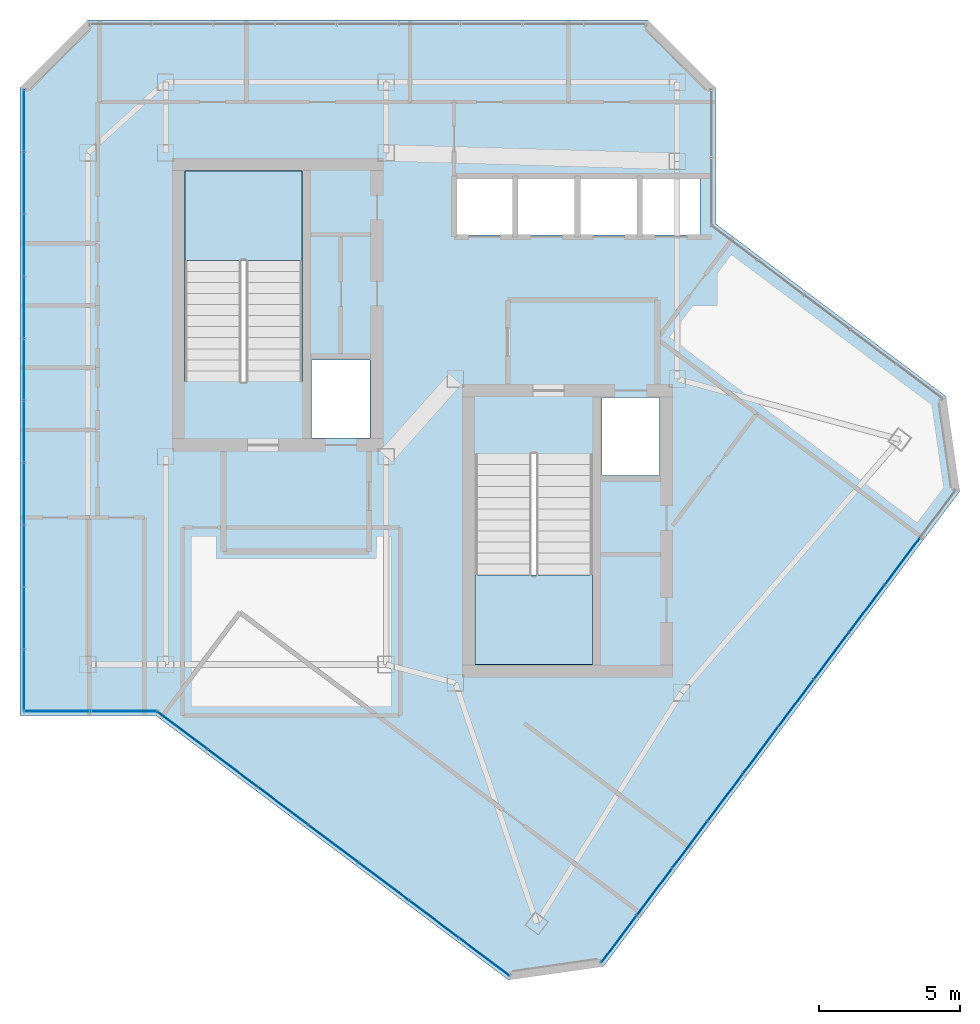
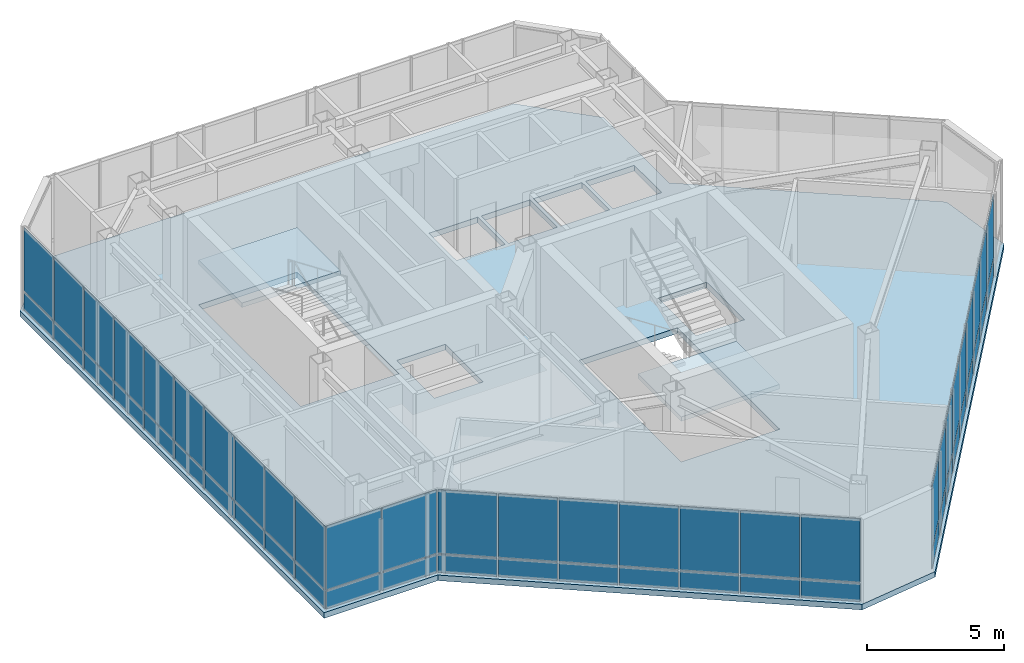
# One storey, part 24 of 29: 56 plates, 3 slabs, 6 elements without a shape of their own.
"""IFC4 building model written with IfcOpenShell, lengths in metres."""

from ifc_helpers import new_model, si_unit, direction, frame, origin, origin_2d, place, context, subcontext, project, spatial, polyline, rectangle, outline, extrude, material, layer, layer_set, type_object, element, aggregate, save


model = new_model("IFC4")

# Units and contexts
model_context = context("Model", 3, precision=1e-05, world=origin(), true_north=direction((0.0, 1.0)))
body_context = subcontext(model_context, "Body", "Model", "MODEL_VIEW")
ifc_project = project(units=[si_unit("LENGTHUNIT", "METRE"), si_unit("AREAUNIT", "SQUARE_METRE"), si_unit("VOLUMEUNIT", "CUBIC_METRE"), si_unit("PLANEANGLEUNIT", "RADIAN"), si_unit("MASSUNIT", "GRAM", prefix="KILO")], contexts=[model_context])

# Site, building, storey
site_placement = place(None, origin())
site = spatial("IfcSite", under=ifc_project, at=site_placement, CompositionType="ELEMENT")
building_placement = place(site_placement, origin())
building = spatial("IfcBuilding", under=site, at=building_placement, Name="Hatsunagi Terrace Concourse", CompositionType="ELEMENT")
storey_placement = place(building_placement, frame((0.0, 0.0, 277.949951171875)))
storey = spatial("IfcBuildingStorey", under=building, at=storey_placement, Name="L73", CompositionType="ELEMENT", Elevation=277.949951171875)

# Curtain wall, plates
ifc_material_1 = material(Name="Anodised Aluminium Alloy 6063-T5", Category="aluminium")
ifc_layer_1 = layer(ifc_material_1, 0.199951171875)
ifc_layer_set_1 = layer_set([ifc_layer_1], Name="CrownWintergarden_CW06")
curtain_wall_type = type_object("IfcCurtainWallType", Name="CrownWintergarden_CW06", PredefinedType="NOTDEFINED", material=ifc_layer_set_1)
curtain_wall_1_placement = place(storey_placement, origin())
curtain_wall_1 = element("IfcCurtainWall", 1, at=curtain_wall_1_placement, inside=storey, type_object=curtain_wall_type, Name="Unitised Curtain Wall CW-06 CW-L73-03", PredefinedType="NOTDEFINED")
ifc_material_2 = material(Name="Warm Terracotta Ceramic Spandrel Panel", Category="masonry")
ifc_layer_2 = layer(ifc_material_2, 0.031982421875)
ifc_layer_set_2 = layer_set([ifc_layer_2], Name="CurtainWallSpandrelPanel_32")
plate_type_1 = type_object("IfcPlateType", Name="CurtainWallSpandrelPanel_32", PredefinedType="SHEET", material=ifc_layer_set_2)
plate_1_placement = place(storey_placement, frame((51.614013671875, 28.85205078125, 0.030029296875), z_axis=(0.0, 0.0, 1.0), x_axis=(-0.599969314634, -0.800023013105, 0.0)))
plate_1 = element("IfcPlate", 2, at=plate_1_placement, type_object=plate_type_1, Name="Terracotta Spandrel Panel SPN-01", PredefinedType="SHEET", context=body_context, shape_type="SweptSolid", body=[
    extrude(rectangle(XDim=2.032958984375, YDim=0.031982421875, at=origin_2d()), origin(), (0.0, 0.0, 1.0), 0.7900390625),
])
plate_2_placement = place(storey_placement, frame((50.361083984375, 27.180908203125, 0.030029296875), z_axis=(0.0, 0.0, 1.0), x_axis=(-0.599969314634, -0.800023013105, 0.0)))
plate_2 = element("IfcPlate", 3, at=plate_2_placement, type_object=plate_type_1, Name="Terracotta Spandrel Panel SPN-01", PredefinedType="SHEET", context=body_context, shape_type="SweptSolid", body=[
    extrude(rectangle(XDim=2.032958984375, YDim=0.031982421875, at=origin_2d()), origin(), (0.0, 0.0, 1.0), 0.7900390625),
])
plate_3_placement = place(storey_placement, frame((49.10791015625, 25.510009765625, 0.030029296875), z_axis=(0.0, 0.0, 1.0), x_axis=(-0.599969314634, -0.800023013105, 0.0)))
plate_3 = element("IfcPlate", 4, at=plate_3_placement, type_object=plate_type_1, Name="Terracotta Spandrel Panel SPN-01", PredefinedType="SHEET", context=body_context, shape_type="SweptSolid", body=[
    extrude(rectangle(XDim=2.032958984375, YDim=0.031982421875, at=origin_2d()), origin(), (0.0, 0.0, 1.0), 0.7900390625),
])
plate_4_placement = place(storey_placement, frame((47.85498046875, 23.839111328125, 0.030029296875), z_axis=(0.0, 0.0, 1.0), x_axis=(-0.599969314634, -0.800023013105, 0.0)))
plate_4 = element("IfcPlate", 5, at=plate_4_placement, type_object=plate_type_1, Name="Terracotta Spandrel Panel SPN-01", PredefinedType="SHEET", context=body_context, shape_type="SweptSolid", body=[
    extrude(rectangle(XDim=2.032958984375, YDim=0.031982421875, at=origin_2d()), origin(), (0.0, 0.0, 1.0), 0.7900390625),
])
plate_5_placement = place(storey_placement, frame((46.60205078125, 22.1689453125, 0.030029296875), z_axis=(0.0, 0.0, 1.0), x_axis=(-0.599969314634, -0.800023013105, 0.0)))
plate_5 = element("IfcPlate", 6, at=plate_5_placement, type_object=plate_type_1, Name="Terracotta Spandrel Panel SPN-01", PredefinedType="SHEET", context=body_context, shape_type="SweptSolid", body=[
    extrude(rectangle(XDim=2.032958984375, YDim=0.031982421875, at=origin_2d()), origin(), (0.0, 0.0, 1.0), 0.7900390625),
])
plate_6_placement = place(storey_placement, frame((45.34912109375, 20.498046875, 0.030029296875), z_axis=(0.0, 0.0, 1.0), x_axis=(-0.599969314634, -0.800023013105, 0.0)))
plate_6 = element("IfcPlate", 7, at=plate_6_placement, type_object=plate_type_1, Name="Terracotta Spandrel Panel SPN-01", PredefinedType="SHEET", context=body_context, shape_type="SweptSolid", body=[
    extrude(rectangle(XDim=2.032958984375, YDim=0.031982421875, at=origin_2d()), origin(), (0.0, 0.0, 1.0), 0.7900390625),
])
plate_7_placement = place(storey_placement, frame((44.095947265625, 18.826904296875, 0.030029296875), z_axis=(0.0, 0.0, 1.0), x_axis=(-0.599969314634, -0.800023013105, 0.0)))
plate_7 = element("IfcPlate", 8, at=plate_7_placement, type_object=plate_type_1, Name="Terracotta Spandrel Panel SPN-01", PredefinedType="SHEET", context=body_context, shape_type="SweptSolid", body=[
    extrude(rectangle(XDim=2.032958984375, YDim=0.031982421875, at=origin_2d()), origin(), (0.0, 0.0, 1.0), 0.7900390625),
])
plate_8_placement = place(storey_placement, frame((42.843017578125, 17.156005859375, 0.030029296875), z_axis=(0.0, 0.0, 1.0), x_axis=(-0.599969314634, -0.800023013105, 0.0)))
plate_8 = element("IfcPlate", 9, at=plate_8_placement, type_object=plate_type_1, Name="Terracotta Spandrel Panel SPN-01", PredefinedType="SHEET", context=body_context, shape_type="SweptSolid", body=[
    extrude(rectangle(XDim=2.032958984375, YDim=0.031982421875, at=origin_2d()), origin(), (0.0, 0.0, 1.0), 0.7900390625),
])
plate_9_placement = place(storey_placement, frame((41.590087890625, 15.485107421875, 0.030029296875), z_axis=(0.0, 0.0, 1.0), x_axis=(-0.599969314634, -0.800023013105, 0.0)))
plate_9 = element("IfcPlate", 10, at=plate_9_placement, type_object=plate_type_1, Name="Terracotta Spandrel Panel SPN-01", PredefinedType="SHEET", context=body_context, shape_type="SweptSolid", body=[
    extrude(rectangle(XDim=2.032958984375, YDim=0.031982421875, at=origin_2d()), origin(), (0.0, 0.0, 1.0), 0.7900390625),
])

curtain_wall_2_placement = place(storey_placement, origin())
curtain_wall_2 = element("IfcCurtainWall", 11, at=curtain_wall_2_placement, inside=storey, type_object=curtain_wall_type, Name="Unitised Curtain Wall CW-06 CW-L73-05", PredefinedType="NOTDEFINED")
plate_10_placement = place(storey_placement, frame((36.826904296875, 14.85498046875, 0.030029296875), z_axis=(0.0, 0.0, 1.0), x_axis=(-0.800007305671, 0.599990258982, 0.0)))
plate_10 = element("IfcPlate", 12, at=plate_10_placement, type_object=plate_type_1, Name="Terracotta Spandrel Panel SPN-01", PredefinedType="SHEET", context=body_context, shape_type="SweptSolid", body=[
    extrude(rectangle(XDim=2.172119140625, YDim=0.031982421875, at=origin_2d()), origin(), (0.0, 0.0, 1.0), 0.7900390625),
])
plate_11_placement = place(storey_placement, frame((35.0458984375, 16.19091796875, 0.030029296875), z_axis=(0.0, 0.0, 1.0), x_axis=(-0.800007305671, 0.599990258982, 0.0)))
plate_11 = element("IfcPlate", 13, at=plate_11_placement, type_object=plate_type_1, Name="Terracotta Spandrel Panel SPN-01", PredefinedType="SHEET", context=body_context, shape_type="SweptSolid", body=[
    extrude(rectangle(XDim=2.172119140625, YDim=0.031982421875, at=origin_2d()), origin(), (0.0, 0.0, 1.0), 0.7900390625),
])
plate_12_placement = place(storey_placement, frame((33.263916015625, 17.527099609375, 0.030029296875), z_axis=(0.0, 0.0, 1.0), x_axis=(-0.800007305671, 0.599990258982, 0.0)))
plate_12 = element("IfcPlate", 14, at=plate_12_placement, type_object=plate_type_1, Name="Terracotta Spandrel Panel SPN-01", PredefinedType="SHEET", context=body_context, shape_type="SweptSolid", body=[
    extrude(rectangle(XDim=2.172119140625, YDim=0.031982421875, at=origin_2d()), origin(), (0.0, 0.0, 1.0), 0.7900390625),
])
plate_13_placement = place(storey_placement, frame((31.48291015625, 18.863037109375, 0.030029296875), z_axis=(0.0, 0.0, 1.0), x_axis=(-0.800007305671, 0.599990258982, 0.0)))
plate_13 = element("IfcPlate", 15, at=plate_13_placement, type_object=plate_type_1, Name="Terracotta Spandrel Panel SPN-01", PredefinedType="SHEET", context=body_context, shape_type="SweptSolid", body=[
    extrude(rectangle(XDim=2.172119140625, YDim=0.031982421875, at=origin_2d()), origin(), (0.0, 0.0, 1.0), 0.7900390625),
])
plate_14_placement = place(storey_placement, frame((29.700927734375, 20.199951171875, 0.030029296875), z_axis=(0.0, 0.0, 1.0), x_axis=(-0.800007305671, 0.599990258982, 0.0)))
plate_14 = element("IfcPlate", 16, at=plate_14_placement, type_object=plate_type_1, Name="Terracotta Spandrel Panel SPN-01", PredefinedType="SHEET", context=body_context, shape_type="SweptSolid", body=[
    extrude(rectangle(XDim=2.172119140625, YDim=0.031982421875, at=origin_2d()), origin(), (0.0, 0.0, 1.0), 0.7900390625),
])
plate_15_placement = place(storey_placement, frame((27.9189453125, 21.535888671875, 0.030029296875), z_axis=(0.0, 0.0, 1.0), x_axis=(-0.800007305671, 0.599990258982, 0.0)))
plate_15 = element("IfcPlate", 17, at=plate_15_placement, type_object=plate_type_1, Name="Terracotta Spandrel Panel SPN-01", PredefinedType="SHEET", context=body_context, shape_type="SweptSolid", body=[
    extrude(rectangle(XDim=2.172119140625, YDim=0.031982421875, at=origin_2d()), origin(), (0.0, 0.0, 1.0), 0.7900390625),
])
plate_16_placement = place(storey_placement, frame((26.137939453125, 22.8720703125, 0.030029296875), z_axis=(0.0, 0.0, 1.0), x_axis=(-0.800007305671, 0.599990258982, 0.0)))
plate_16 = element("IfcPlate", 18, at=plate_16_placement, type_object=plate_type_1, Name="Terracotta Spandrel Panel SPN-01", PredefinedType="SHEET", context=body_context, shape_type="SweptSolid", body=[
    extrude(rectangle(XDim=2.172119140625, YDim=0.031982421875, at=origin_2d()), origin(), (0.0, 0.0, 1.0), 0.7900390625),
])

curtain_wall_3_placement = place(storey_placement, origin())
curtain_wall_3 = element("IfcCurtainWall", 19, at=curtain_wall_3_placement, inside=storey, type_object=curtain_wall_type, Name="Unitised Curtain Wall CW-06 CW-L73-06", PredefinedType="NOTDEFINED")
plate_17_placement = place(storey_placement, frame((24.070068359375, 23.5400390625, 0.030029296875), z_axis=(0.0, 0.0, 1.0), x_axis=(-1.0, 0.0, 0.0)))
plate_17 = element("IfcPlate", 20, at=plate_17_placement, type_object=plate_type_1, Name="Terracotta Spandrel Panel SPN-01", PredefinedType="SHEET", context=body_context, shape_type="SweptSolid", body=[
    extrude(rectangle(XDim=2.299072265625, YDim=0.031982421875, at=origin_2d()), origin(), (0.0, 0.0, 1.0), 0.7900390625),
])
plate_18_placement = place(storey_placement, frame((21.717041015625, 23.5400390625, 0.030029296875), z_axis=(0.0, 0.0, 1.0), x_axis=(-1.0, 0.0, 0.0)))
plate_18 = element("IfcPlate", 21, at=plate_18_placement, type_object=plate_type_1, Name="Terracotta Spandrel Panel SPN-01", PredefinedType="SHEET", context=body_context, shape_type="SweptSolid", body=[
    extrude(rectangle(XDim=2.299072265625, YDim=0.031982421875, at=origin_2d()), origin(), (0.0, 0.0, 1.0), 0.7900390625),
])

curtain_wall_4_placement = place(storey_placement, origin())
curtain_wall_4 = element("IfcCurtainWall", 22, at=curtain_wall_4_placement, inside=storey, type_object=curtain_wall_type, Name="Unitised Curtain Wall CW-06 CW-L73-07", PredefinedType="NOTDEFINED")
plate_19_placement = place(storey_placement, frame((20.5400390625, 24.639892578125, 0.030029296875), z_axis=(0.0, 0.0, 1.0), x_axis=(0.0, 1.0, 0.0)))
plate_19 = element("IfcPlate", 23, at=plate_19_placement, type_object=plate_type_1, Name="Terracotta Spandrel Panel SPN-01", PredefinedType="SHEET", context=body_context, shape_type="SweptSolid", body=[
    extrude(rectangle(XDim=2.14501953125, YDim=0.031982421875, at=origin_2d()), origin(), (0.0, 0.0, 1.0), 0.7900390625),
])
plate_20_placement = place(storey_placement, frame((20.5400390625, 26.840087890625, 0.030029296875), z_axis=(0.0, 0.0, 1.0), x_axis=(0.0, 1.0, 0.0)))
plate_20 = element("IfcPlate", 24, at=plate_20_placement, type_object=plate_type_1, Name="Terracotta Spandrel Panel SPN-01", PredefinedType="SHEET", context=body_context, shape_type="SweptSolid", body=[
    extrude(rectangle(XDim=2.14501953125, YDim=0.031982421875, at=origin_2d()), origin(), (0.0, 0.0, 1.0), 0.7900390625),
])
plate_21_placement = place(storey_placement, frame((20.5400390625, 29.041015625, 0.030029296875), z_axis=(0.0, 0.0, 1.0), x_axis=(0.0, 1.0, 0.0)))
plate_21 = element("IfcPlate", 25, at=plate_21_placement, type_object=plate_type_1, Name="Terracotta Spandrel Panel SPN-01", PredefinedType="SHEET", context=body_context, shape_type="SweptSolid", body=[
    extrude(rectangle(XDim=2.14501953125, YDim=0.031982421875, at=origin_2d()), origin(), (0.0, 0.0, 1.0), 0.7900390625),
])
plate_22_placement = place(storey_placement, frame((20.5400390625, 31.240966796875, 0.030029296875), z_axis=(0.0, 0.0, 1.0), x_axis=(0.0, 1.0, 0.0)))
plate_22 = element("IfcPlate", 26, at=plate_22_placement, type_object=plate_type_1, Name="Terracotta Spandrel Panel SPN-01", PredefinedType="SHEET", context=body_context, shape_type="SweptSolid", body=[
    extrude(rectangle(XDim=2.14501953125, YDim=0.031982421875, at=origin_2d()), origin(), (0.0, 0.0, 1.0), 0.7900390625),
])
plate_23_placement = place(storey_placement, frame((20.5400390625, 33.44091796875, 0.030029296875), z_axis=(0.0, 0.0, 1.0), x_axis=(0.0, 1.0, 0.0)))
plate_23 = element("IfcPlate", 27, at=plate_23_placement, type_object=plate_type_1, Name="Terracotta Spandrel Panel SPN-01", PredefinedType="SHEET", context=body_context, shape_type="SweptSolid", body=[
    extrude(rectangle(XDim=2.14501953125, YDim=0.031982421875, at=origin_2d()), origin(), (0.0, 0.0, 1.0), 0.7900390625),
])
plate_24_placement = place(storey_placement, frame((20.5400390625, 35.64111328125, 0.030029296875), z_axis=(0.0, 0.0, 1.0), x_axis=(0.0, 1.0, 0.0)))
plate_24 = element("IfcPlate", 28, at=plate_24_placement, type_object=plate_type_1, Name="Terracotta Spandrel Panel SPN-01", PredefinedType="SHEET", context=body_context, shape_type="SweptSolid", body=[
    extrude(rectangle(XDim=2.14501953125, YDim=0.031982421875, at=origin_2d()), origin(), (0.0, 0.0, 1.0), 0.7900390625),
])
plate_25_placement = place(storey_placement, frame((20.5400390625, 37.841064453125, 0.030029296875), z_axis=(0.0, 0.0, 1.0), x_axis=(0.0, 1.0, 0.0)))
plate_25 = element("IfcPlate", 29, at=plate_25_placement, type_object=plate_type_1, Name="Terracotta Spandrel Panel SPN-01", PredefinedType="SHEET", context=body_context, shape_type="SweptSolid", body=[
    extrude(rectangle(XDim=2.14501953125, YDim=0.031982421875, at=origin_2d()), origin(), (0.0, 0.0, 1.0), 0.7900390625),
])
plate_26_placement = place(storey_placement, frame((20.5400390625, 40.041015625, 0.030029296875), z_axis=(0.0, 0.0, 1.0), x_axis=(0.0, 1.0, 0.0)))
plate_26 = element("IfcPlate", 30, at=plate_26_placement, type_object=plate_type_1, Name="Terracotta Spandrel Panel SPN-01", PredefinedType="SHEET", context=body_context, shape_type="SweptSolid", body=[
    extrude(rectangle(XDim=2.14501953125, YDim=0.031982421875, at=origin_2d()), origin(), (0.0, 0.0, 1.0), 0.7900390625),
])
plate_27_placement = place(storey_placement, frame((20.5400390625, 42.241943359375, 0.030029296875), z_axis=(0.0, 0.0, 1.0), x_axis=(0.0, 1.0, 0.0)))
plate_27 = element("IfcPlate", 31, at=plate_27_placement, type_object=plate_type_1, Name="Terracotta Spandrel Panel SPN-01", PredefinedType="SHEET", context=body_context, shape_type="SweptSolid", body=[
    extrude(rectangle(XDim=2.14501953125, YDim=0.031982421875, at=origin_2d()), origin(), (0.0, 0.0, 1.0), 0.7900390625),
])
plate_28_placement = place(storey_placement, frame((20.5400390625, 44.44189453125, 0.030029296875), z_axis=(0.0, 0.0, 1.0), x_axis=(0.0, 1.0, 0.0)))
plate_28 = element("IfcPlate", 32, at=plate_28_placement, type_object=plate_type_1, Name="Terracotta Spandrel Panel SPN-01", PredefinedType="SHEET", context=body_context, shape_type="SweptSolid", body=[
    extrude(rectangle(XDim=2.14501953125, YDim=0.031982421875, at=origin_2d()), origin(), (0.0, 0.0, 1.0), 0.7900390625),
])

# Plate
ifc_material_3 = material(Name="Low-E Double Insulating Glass 28mm", Category="glass")
ifc_layer_3 = layer(ifc_material_3, 0.028076171875)
ifc_layer_set_3 = layer_set([ifc_layer_3], Name="CurtainWallVisionGlass_28")
plate_type_2 = type_object("IfcPlateType", Name="CurtainWallVisionGlass_28", PredefinedType="CURTAIN_PANEL", material=ifc_layer_set_3)
plate_29_placement = place(storey_placement, frame((51.614013671875, 28.85205078125, 0.880126953125), z_axis=(0.0, 0.0, 1.0), x_axis=(-0.599969314634, -0.800023013105, 0.0)))
plate_29 = element("IfcPlate", 33, at=plate_29_placement, type_object=plate_type_2, Name="Low-E Vision Glass Panel GLZ-01", PredefinedType="CURTAIN_PANEL", context=body_context, shape_type="SweptSolid", body=[
    extrude(rectangle(XDim=2.032958984375, YDim=0.028076171875, at=origin_2d()), origin(), (0.0, 0.0, 1.0), 2.830078125),
])

plate_30_placement = place(storey_placement, frame((50.361083984375, 27.180908203125, 0.880126953125), z_axis=(0.0, 0.0, 1.0), x_axis=(-0.599969314634, -0.800023013105, 0.0)))
plate_30 = element("IfcPlate", 34, at=plate_30_placement, type_object=plate_type_2, Name="Low-E Vision Glass Panel GLZ-01", PredefinedType="CURTAIN_PANEL", context=body_context, shape_type="SweptSolid", body=[
    extrude(rectangle(XDim=2.032958984375, YDim=0.028076171875, at=origin_2d()), origin(), (0.0, 0.0, 1.0), 2.830078125),
])

plate_31_placement = place(storey_placement, frame((49.10791015625, 25.510009765625, 0.880126953125), z_axis=(0.0, 0.0, 1.0), x_axis=(-0.599969314634, -0.800023013105, 0.0)))
plate_31 = element("IfcPlate", 35, at=plate_31_placement, type_object=plate_type_2, Name="Low-E Vision Glass Panel GLZ-01", PredefinedType="CURTAIN_PANEL", context=body_context, shape_type="SweptSolid", body=[
    extrude(rectangle(XDim=2.032958984375, YDim=0.028076171875, at=origin_2d()), origin(), (0.0, 0.0, 1.0), 2.830078125),
])

plate_32_placement = place(storey_placement, frame((47.85498046875, 23.839111328125, 0.880126953125), z_axis=(0.0, 0.0, 1.0), x_axis=(-0.599969314634, -0.800023013105, 0.0)))
plate_32 = element("IfcPlate", 36, at=plate_32_placement, type_object=plate_type_2, Name="Low-E Vision Glass Panel GLZ-01", PredefinedType="CURTAIN_PANEL", context=body_context, shape_type="SweptSolid", body=[
    extrude(rectangle(XDim=2.032958984375, YDim=0.028076171875, at=origin_2d()), origin(), (0.0, 0.0, 1.0), 2.830078125),
])

plate_33_placement = place(storey_placement, frame((46.60205078125, 22.1689453125, 0.880126953125), z_axis=(0.0, 0.0, 1.0), x_axis=(-0.599969314634, -0.800023013105, 0.0)))
plate_33 = element("IfcPlate", 37, at=plate_33_placement, type_object=plate_type_2, Name="Low-E Vision Glass Panel GLZ-01", PredefinedType="CURTAIN_PANEL", context=body_context, shape_type="SweptSolid", body=[
    extrude(rectangle(XDim=2.032958984375, YDim=0.028076171875, at=origin_2d()), origin(), (0.0, 0.0, 1.0), 2.830078125),
])

plate_34_placement = place(storey_placement, frame((45.34912109375, 20.498046875, 0.880126953125), z_axis=(0.0, 0.0, 1.0), x_axis=(-0.599969314634, -0.800023013105, 0.0)))
plate_34 = element("IfcPlate", 38, at=plate_34_placement, type_object=plate_type_2, Name="Low-E Vision Glass Panel GLZ-01", PredefinedType="CURTAIN_PANEL", context=body_context, shape_type="SweptSolid", body=[
    extrude(rectangle(XDim=2.032958984375, YDim=0.028076171875, at=origin_2d()), origin(), (0.0, 0.0, 1.0), 2.830078125),
])

plate_35_placement = place(storey_placement, frame((44.095947265625, 18.826904296875, 0.880126953125), z_axis=(0.0, 0.0, 1.0), x_axis=(-0.599969314634, -0.800023013105, 0.0)))
plate_35 = element("IfcPlate", 39, at=plate_35_placement, type_object=plate_type_2, Name="Low-E Vision Glass Panel GLZ-01", PredefinedType="CURTAIN_PANEL", context=body_context, shape_type="SweptSolid", body=[
    extrude(rectangle(XDim=2.032958984375, YDim=0.028076171875, at=origin_2d()), origin(), (0.0, 0.0, 1.0), 2.830078125),
])

plate_36_placement = place(storey_placement, frame((42.843017578125, 17.156005859375, 0.880126953125), z_axis=(0.0, 0.0, 1.0), x_axis=(-0.599969314634, -0.800023013105, 0.0)))
plate_36 = element("IfcPlate", 40, at=plate_36_placement, type_object=plate_type_2, Name="Low-E Vision Glass Panel GLZ-01", PredefinedType="CURTAIN_PANEL", context=body_context, shape_type="SweptSolid", body=[
    extrude(rectangle(XDim=2.032958984375, YDim=0.028076171875, at=origin_2d()), origin(), (0.0, 0.0, 1.0), 2.830078125),
])

plate_37_placement = place(storey_placement, frame((41.590087890625, 15.485107421875, 0.880126953125), z_axis=(0.0, 0.0, 1.0), x_axis=(-0.599969314634, -0.800023013105, 0.0)))
plate_37 = element("IfcPlate", 41, at=plate_37_placement, type_object=plate_type_2, Name="Low-E Vision Glass Panel GLZ-01", PredefinedType="CURTAIN_PANEL", context=body_context, shape_type="SweptSolid", body=[
    extrude(rectangle(XDim=2.032958984375, YDim=0.028076171875, at=origin_2d()), origin(), (0.0, 0.0, 1.0), 2.830078125),
])

aggregate(curtain_wall_1, [plate_1, plate_29, plate_2, plate_30, plate_3, plate_31, plate_4, plate_32, plate_5, plate_33, plate_6, plate_34, plate_7, plate_35, plate_8, plate_36, plate_9, plate_37])

plate_38_placement = place(storey_placement, frame((36.826904296875, 14.85498046875, 0.880126953125), z_axis=(0.0, 0.0, 1.0), x_axis=(-0.800007305671, 0.599990258982, 0.0)))
plate_38 = element("IfcPlate", 42, at=plate_38_placement, type_object=plate_type_2, Name="Low-E Vision Glass Panel GLZ-01", PredefinedType="CURTAIN_PANEL", context=body_context, shape_type="SweptSolid", body=[
    extrude(rectangle(XDim=2.172119140625, YDim=0.028076171875, at=origin_2d()), origin(), (0.0, 0.0, 1.0), 2.830078125),
])

plate_39_placement = place(storey_placement, frame((35.0458984375, 16.19091796875, 0.880126953125), z_axis=(0.0, 0.0, 1.0), x_axis=(-0.800007305671, 0.599990258982, 0.0)))
plate_39 = element("IfcPlate", 43, at=plate_39_placement, type_object=plate_type_2, Name="Low-E Vision Glass Panel GLZ-01", PredefinedType="CURTAIN_PANEL", context=body_context, shape_type="SweptSolid", body=[
    extrude(rectangle(XDim=2.172119140625, YDim=0.028076171875, at=origin_2d()), origin(), (0.0, 0.0, 1.0), 2.830078125),
])

plate_40_placement = place(storey_placement, frame((33.263916015625, 17.527099609375, 0.880126953125), z_axis=(0.0, 0.0, 1.0), x_axis=(-0.800007305671, 0.599990258982, 0.0)))
plate_40 = element("IfcPlate", 44, at=plate_40_placement, type_object=plate_type_2, Name="Low-E Vision Glass Panel GLZ-01", PredefinedType="CURTAIN_PANEL", context=body_context, shape_type="SweptSolid", body=[
    extrude(rectangle(XDim=2.172119140625, YDim=0.028076171875, at=origin_2d()), origin(), (0.0, 0.0, 1.0), 2.830078125),
])

plate_41_placement = place(storey_placement, frame((31.48291015625, 18.863037109375, 0.880126953125), z_axis=(0.0, 0.0, 1.0), x_axis=(-0.800007305671, 0.599990258982, 0.0)))
plate_41 = element("IfcPlate", 45, at=plate_41_placement, type_object=plate_type_2, Name="Low-E Vision Glass Panel GLZ-01", PredefinedType="CURTAIN_PANEL", context=body_context, shape_type="SweptSolid", body=[
    extrude(rectangle(XDim=2.172119140625, YDim=0.028076171875, at=origin_2d()), origin(), (0.0, 0.0, 1.0), 2.830078125),
])

plate_42_placement = place(storey_placement, frame((29.700927734375, 20.199951171875, 0.880126953125), z_axis=(0.0, 0.0, 1.0), x_axis=(-0.800007305671, 0.599990258982, 0.0)))
plate_42 = element("IfcPlate", 46, at=plate_42_placement, type_object=plate_type_2, Name="Low-E Vision Glass Panel GLZ-01", PredefinedType="CURTAIN_PANEL", context=body_context, shape_type="SweptSolid", body=[
    extrude(rectangle(XDim=2.172119140625, YDim=0.028076171875, at=origin_2d()), origin(), (0.0, 0.0, 1.0), 2.830078125),
])

plate_43_placement = place(storey_placement, frame((27.9189453125, 21.535888671875, 0.880126953125), z_axis=(0.0, 0.0, 1.0), x_axis=(-0.800007305671, 0.599990258982, 0.0)))
plate_43 = element("IfcPlate", 47, at=plate_43_placement, type_object=plate_type_2, Name="Low-E Vision Glass Panel GLZ-01", PredefinedType="CURTAIN_PANEL", context=body_context, shape_type="SweptSolid", body=[
    extrude(rectangle(XDim=2.172119140625, YDim=0.028076171875, at=origin_2d()), origin(), (0.0, 0.0, 1.0), 2.830078125),
])

plate_44_placement = place(storey_placement, frame((26.137939453125, 22.8720703125, 0.880126953125), z_axis=(0.0, 0.0, 1.0), x_axis=(-0.800007305671, 0.599990258982, 0.0)))
plate_44 = element("IfcPlate", 48, at=plate_44_placement, type_object=plate_type_2, Name="Low-E Vision Glass Panel GLZ-01", PredefinedType="CURTAIN_PANEL", context=body_context, shape_type="SweptSolid", body=[
    extrude(rectangle(XDim=2.172119140625, YDim=0.028076171875, at=origin_2d()), origin(), (0.0, 0.0, 1.0), 2.830078125),
])

aggregate(curtain_wall_2, [plate_10, plate_38, plate_11, plate_39, plate_12, plate_40, plate_13, plate_41, plate_14, plate_42, plate_15, plate_43, plate_16, plate_44])

plate_45_placement = place(storey_placement, frame((24.070068359375, 23.5400390625, 0.880126953125), z_axis=(0.0, 0.0, 1.0), x_axis=(-1.0, 0.0, 0.0)))
plate_45 = element("IfcPlate", 49, at=plate_45_placement, type_object=plate_type_2, Name="Low-E Vision Glass Panel GLZ-01", PredefinedType="CURTAIN_PANEL", context=body_context, shape_type="SweptSolid", body=[
    extrude(rectangle(XDim=2.299072265625, YDim=0.028076171875, at=origin_2d()), origin(), (0.0, 0.0, 1.0), 2.830078125),
])

plate_46_placement = place(storey_placement, frame((21.717041015625, 23.5400390625, 0.880126953125), z_axis=(0.0, 0.0, 1.0), x_axis=(-1.0, 0.0, 0.0)))
plate_46 = element("IfcPlate", 50, at=plate_46_placement, type_object=plate_type_2, Name="Low-E Vision Glass Panel GLZ-01", PredefinedType="CURTAIN_PANEL", context=body_context, shape_type="SweptSolid", body=[
    extrude(rectangle(XDim=2.299072265625, YDim=0.028076171875, at=origin_2d()), origin(), (0.0, 0.0, 1.0), 2.830078125),
])

aggregate(curtain_wall_3, [plate_17, plate_45, plate_18, plate_46])

plate_47_placement = place(storey_placement, frame((20.5400390625, 24.639892578125, 0.880126953125), z_axis=(0.0, 0.0, 1.0), x_axis=(0.0, 1.0, 0.0)))
plate_47 = element("IfcPlate", 51, at=plate_47_placement, type_object=plate_type_2, Name="Low-E Vision Glass Panel GLZ-01", PredefinedType="CURTAIN_PANEL", context=body_context, shape_type="SweptSolid", body=[
    extrude(rectangle(XDim=2.14501953125, YDim=0.028076171875, at=origin_2d()), origin(), (0.0, 0.0, 1.0), 2.830078125),
])

plate_48_placement = place(storey_placement, frame((20.5400390625, 26.840087890625, 0.880126953125), z_axis=(0.0, 0.0, 1.0), x_axis=(0.0, 1.0, 0.0)))
plate_48 = element("IfcPlate", 52, at=plate_48_placement, type_object=plate_type_2, Name="Low-E Vision Glass Panel GLZ-01", PredefinedType="CURTAIN_PANEL", context=body_context, shape_type="SweptSolid", body=[
    extrude(rectangle(XDim=2.14501953125, YDim=0.028076171875, at=origin_2d()), origin(), (0.0, 0.0, 1.0), 2.830078125),
])

plate_49_placement = place(storey_placement, frame((20.5400390625, 29.041015625, 0.880126953125), z_axis=(0.0, 0.0, 1.0), x_axis=(0.0, 1.0, 0.0)))
plate_49 = element("IfcPlate", 53, at=plate_49_placement, type_object=plate_type_2, Name="Low-E Vision Glass Panel GLZ-01", PredefinedType="CURTAIN_PANEL", context=body_context, shape_type="SweptSolid", body=[
    extrude(rectangle(XDim=2.14501953125, YDim=0.028076171875, at=origin_2d()), origin(), (0.0, 0.0, 1.0), 2.830078125),
])

plate_50_placement = place(storey_placement, frame((20.5400390625, 31.240966796875, 0.880126953125), z_axis=(0.0, 0.0, 1.0), x_axis=(0.0, 1.0, 0.0)))
plate_50 = element("IfcPlate", 54, at=plate_50_placement, type_object=plate_type_2, Name="Low-E Vision Glass Panel GLZ-01", PredefinedType="CURTAIN_PANEL", context=body_context, shape_type="SweptSolid", body=[
    extrude(rectangle(XDim=2.14501953125, YDim=0.028076171875, at=origin_2d()), origin(), (0.0, 0.0, 1.0), 2.830078125),
])

plate_51_placement = place(storey_placement, frame((20.5400390625, 33.44091796875, 0.880126953125), z_axis=(0.0, 0.0, 1.0), x_axis=(0.0, 1.0, 0.0)))
plate_51 = element("IfcPlate", 55, at=plate_51_placement, type_object=plate_type_2, Name="Low-E Vision Glass Panel GLZ-01", PredefinedType="CURTAIN_PANEL", context=body_context, shape_type="SweptSolid", body=[
    extrude(rectangle(XDim=2.14501953125, YDim=0.028076171875, at=origin_2d()), origin(), (0.0, 0.0, 1.0), 2.830078125),
])

plate_52_placement = place(storey_placement, frame((20.5400390625, 35.64111328125, 0.880126953125), z_axis=(0.0, 0.0, 1.0), x_axis=(0.0, 1.0, 0.0)))
plate_52 = element("IfcPlate", 56, at=plate_52_placement, type_object=plate_type_2, Name="Low-E Vision Glass Panel GLZ-01", PredefinedType="CURTAIN_PANEL", context=body_context, shape_type="SweptSolid", body=[
    extrude(rectangle(XDim=2.14501953125, YDim=0.028076171875, at=origin_2d()), origin(), (0.0, 0.0, 1.0), 2.830078125),
])

plate_53_placement = place(storey_placement, frame((20.5400390625, 37.841064453125, 0.880126953125), z_axis=(0.0, 0.0, 1.0), x_axis=(0.0, 1.0, 0.0)))
plate_53 = element("IfcPlate", 57, at=plate_53_placement, type_object=plate_type_2, Name="Low-E Vision Glass Panel GLZ-01", PredefinedType="CURTAIN_PANEL", context=body_context, shape_type="SweptSolid", body=[
    extrude(rectangle(XDim=2.14501953125, YDim=0.028076171875, at=origin_2d()), origin(), (0.0, 0.0, 1.0), 2.830078125),
])

plate_54_placement = place(storey_placement, frame((20.5400390625, 40.041015625, 0.880126953125), z_axis=(0.0, 0.0, 1.0), x_axis=(0.0, 1.0, 0.0)))
plate_54 = element("IfcPlate", 58, at=plate_54_placement, type_object=plate_type_2, Name="Low-E Vision Glass Panel GLZ-01", PredefinedType="CURTAIN_PANEL", context=body_context, shape_type="SweptSolid", body=[
    extrude(rectangle(XDim=2.14501953125, YDim=0.028076171875, at=origin_2d()), origin(), (0.0, 0.0, 1.0), 2.830078125),
])

plate_55_placement = place(storey_placement, frame((20.5400390625, 42.241943359375, 0.880126953125), z_axis=(0.0, 0.0, 1.0), x_axis=(0.0, 1.0, 0.0)))
plate_55 = element("IfcPlate", 59, at=plate_55_placement, type_object=plate_type_2, Name="Low-E Vision Glass Panel GLZ-01", PredefinedType="CURTAIN_PANEL", context=body_context, shape_type="SweptSolid", body=[
    extrude(rectangle(XDim=2.14501953125, YDim=0.028076171875, at=origin_2d()), origin(), (0.0, 0.0, 1.0), 2.830078125),
])

plate_56_placement = place(storey_placement, frame((20.5400390625, 44.44189453125, 0.880126953125), z_axis=(0.0, 0.0, 1.0), x_axis=(0.0, 1.0, 0.0)))
plate_56 = element("IfcPlate", 60, at=plate_56_placement, type_object=plate_type_2, Name="Low-E Vision Glass Panel GLZ-01", PredefinedType="CURTAIN_PANEL", context=body_context, shape_type="SweptSolid", body=[
    extrude(rectangle(XDim=2.14501953125, YDim=0.028076171875, at=origin_2d()), origin(), (0.0, 0.0, 1.0), 2.830078125),
])

aggregate(curtain_wall_4, [plate_19, plate_47, plate_20, plate_48, plate_21, plate_49, plate_22, plate_50, plate_23, plate_51, plate_24, plate_52, plate_25, plate_53, plate_26, plate_54, plate_27, plate_55, plate_28, plate_56])

# Stair, slab
ifc_material_4 = material(Name="Concrete Fc42", Category="concrete")
stair_type = type_object("IfcStairType", Name="DoglegExitStair_Tower2000_24R_167", PredefinedType="HALF_TURN_STAIR", material=ifc_material_4)
stair_1_placement = place(storey_placement, origin())
stair_1 = element("IfcStair", 61, at=stair_1_placement, inside=storey, type_object=stair_type, Name="L73 Core A Protected Exit Stair ST-A", PredefinedType="HALF_TURN_STAIR")
ifc_material_5 = material(Name="Concrete Fc42", Category="concrete")
ifc_layer_4 = layer(ifc_material_5, 0.199951171875)
ifc_layer_set_4 = layer_set([ifc_layer_4], Name="DoglegStairLanding_Tower2000")
slab_type_1 = type_object("IfcSlabType", Name="DoglegStairLanding_Tower2000", PredefinedType="LANDING", material=ifc_layer_set_4)
slab_1_placement = place(storey_placement, frame((0.0, 0.0, 1.800048828125)))
slab_1 = element("IfcSlab", 62, at=slab_1_placement, type_object=slab_type_1, Name="ST-A landing 1", PredefinedType="LANDING", context=body_context, shape_type="SweptSolid", body=[
    extrude(outline(polyline([(30.3798828125, 39.489990234375), (30.3798828125, 42.659912109375), (26.22998046875, 42.659912109375), (26.22998046875, 39.489990234375), (30.3798828125, 39.489990234375)])), origin(), (0.0, 0.0, 1.0), 0.199951171875),
])
aggregate(stair_1, [slab_1])

stair_2_placement = place(storey_placement, origin())
stair_2 = element("IfcStair", 63, at=stair_2_placement, inside=storey, type_object=stair_type, Name="L73 Core B Protected Exit Stair ST-B", PredefinedType="HALF_TURN_STAIR")
slab_2_placement = place(storey_placement, frame((0.0, 0.0, 1.800048828125)))
slab_2 = element("IfcSlab", 64, at=slab_2_placement, type_object=slab_type_1, Name="ST-B landing 1", PredefinedType="LANDING", context=body_context, shape_type="SweptSolid", body=[
    extrude(outline(polyline([(36.5, 28.3701171875), (36.5, 25.199951171875), (40.64990234375, 25.199951171875), (40.64990234375, 28.3701171875), (36.5, 28.3701171875)])), origin(), (0.0, 0.0, 1.0), 0.199951171875),
])
aggregate(stair_2, [slab_2])

# Slab
ifc_material_6 = material(Name="Concrete Fc42", Category="concrete")
ifc_layer_5 = layer(ifc_material_6, 0.25)
ifc_layer_set_5 = layer_set([ifc_layer_5], Name="OfficeCrownSlab_Fc42_250")
slab_type_2 = type_object("IfcSlabType", Name="OfficeCrownSlab_Fc42_250", PredefinedType="FLOOR", material=ifc_layer_set_5)
slab_3_placement = place(storey_placement, frame((0.0, 0.0, -0.25)))
element("IfcSlab", 65, at=slab_3_placement, inside=storey, type_object=slab_type_2, Name="Floor Slab SL-250 L73", PredefinedType="FLOOR", context=body_context, shape_type="SweptSolid", body=[
    extrude(outline(polyline([(45.0, 40.800048828125), (45.0, 45.60009765625), (42.60009765625, 48.0), (22.800048828125, 48.0), (20.39990234375, 45.60009765625), (20.39990234375, 23.39990234375), (25.199951171875, 23.39990234375), (37.679931640625, 14.0400390625), (41.0400390625, 14.52001953125), (53.639892578125, 31.320068359375), (53.159912109375, 34.679931640625), (45.0, 40.800048828125)]), holes=[polyline([(26.22998046875, 35.205078125), (30.3798828125, 35.205078125), (30.3798828125, 42.659912109375), (26.22998046875, 42.659912109375), (26.22998046875, 35.205078125)]), polyline([(36.5, 25.199951171875), (40.64990234375, 25.199951171875), (40.64990234375, 32.655029296875), (36.5, 32.655029296875), (36.5, 25.199951171875)]), polyline([(30.719970703125, 33.219970703125), (32.780029296875, 33.219970703125), (32.780029296875, 35.97998046875), (30.719970703125, 35.97998046875), (30.719970703125, 33.219970703125)]), polyline([(40.97998046875, 31.8798828125), (43.02001953125, 31.8798828125), (43.02001953125, 34.639892578125), (40.97998046875, 34.639892578125), (40.97998046875, 31.8798828125)]), polyline([(35.800048828125, 40.39990234375), (37.85009765625, 40.39990234375), (37.85009765625, 42.39990234375), (35.800048828125, 42.39990234375), (35.800048828125, 40.39990234375)]), polyline([(38.0, 40.39990234375), (40.050048828125, 40.39990234375), (40.050048828125, 42.39990234375), (38.0, 42.39990234375), (38.0, 40.39990234375)]), polyline([(40.199951171875, 40.39990234375), (42.25, 40.39990234375), (42.25, 42.39990234375), (40.199951171875, 42.39990234375), (40.199951171875, 40.39990234375)]), polyline([(42.39990234375, 40.39990234375), (44.449951171875, 40.39990234375), (44.449951171875, 42.39990234375), (42.39990234375, 42.39990234375), (42.39990234375, 40.39990234375)])]), origin(), (0.0, 0.0, 1.0), 0.25),
])

save(model, "model.ifc")
